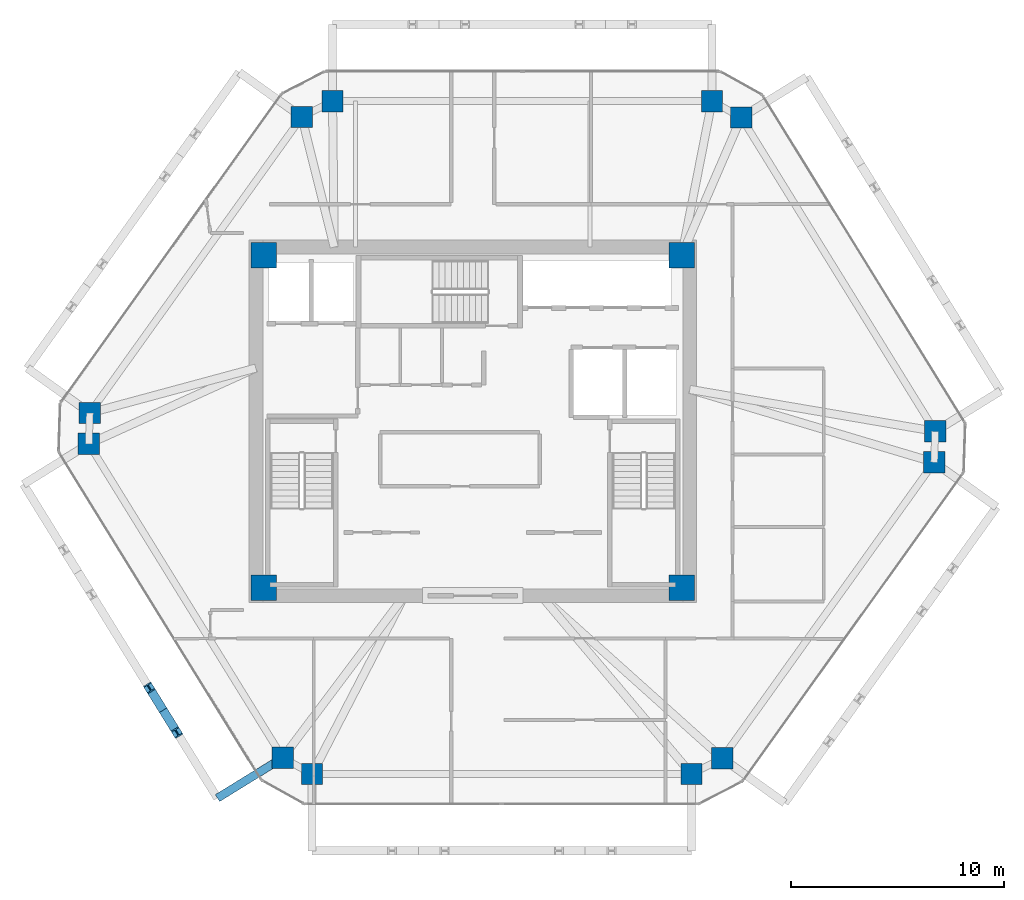
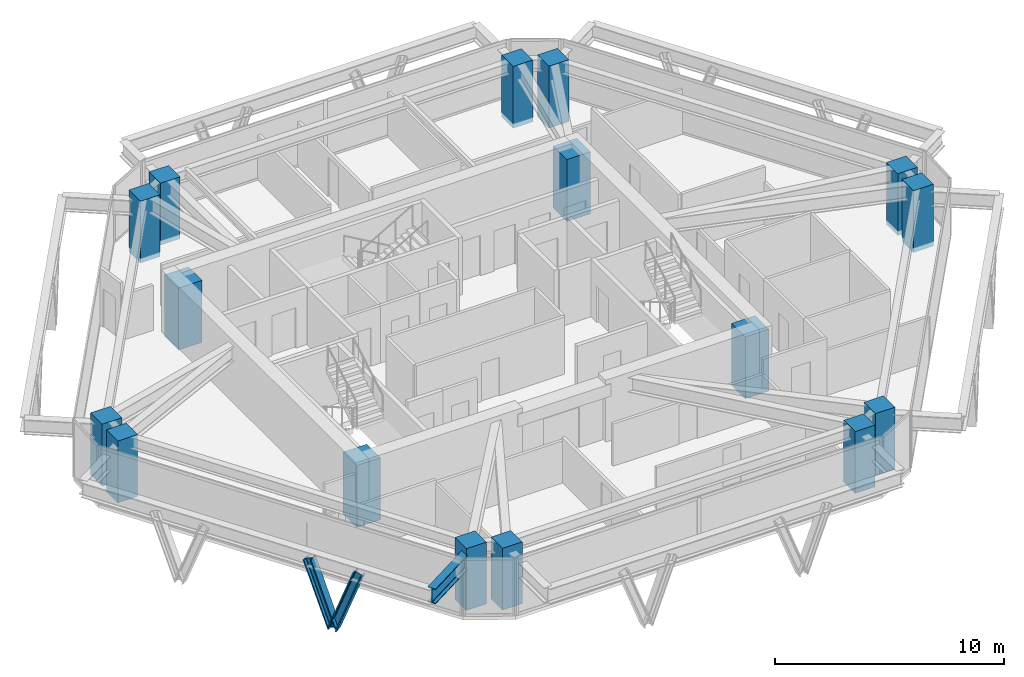
# One storey, part 1 of 11: 16 columns, 2 members, 1 beam.
"""IFC4 building model written with IfcOpenShell, lengths in metres."""

from ifc_helpers import new_model, si_unit, direction, frame, origin, origin_2d, place, context, subcontext, project, spatial, rectangle, i_section, extrude, source, transform, mapped, material, material_profile, profile_set, type_object, type_shapes, element, save


model = new_model("IFC4")

# Units and contexts
model_context = context("Model", 3, precision=1e-05, world=origin(), true_north=direction((0.0, 1.0)))
body_context = subcontext(model_context, "Body", "Model", "MODEL_VIEW")
ifc_project = project(units=[si_unit("LENGTHUNIT", "METRE"), si_unit("AREAUNIT", "SQUARE_METRE"), si_unit("VOLUMEUNIT", "CUBIC_METRE"), si_unit("PLANEANGLEUNIT", "RADIAN"), si_unit("MASSUNIT", "GRAM", prefix="KILO")], contexts=[model_context])

# Site, building, storey
site_placement = place(None, origin())
site = spatial("IfcSite", under=ifc_project, at=site_placement, CompositionType="ELEMENT")
building_placement = place(site_placement, origin())
building = spatial("IfcBuilding", under=site, at=building_placement, Name="Durnholm Broadcast Tower", CompositionType="ELEMENT")
storey_placement = place(building_placement, frame((0.0, 0.0, 190.300048828125)))
storey = spatial("IfcBuildingStorey", under=building, at=storey_placement, Name="L52", CompositionType="ELEMENT", Elevation=190.300048828125)

# Columns
ifc_material_1 = material(Name="Concrete C70/85", Category="concrete")
ifc_material_profile_1 = material_profile(ifc_material_1, rectangle(XDim=1.199951171875, YDim=1.199951171875, at=origin_2d()), Name="RC1200X1200")
ifc_profile_set_1 = profile_set([ifc_material_profile_1], Name="Concrete C70/85")
column_type_1 = type_object("IfcColumnType", Name="COL-CC-1200", PredefinedType="COLUMN", material=ifc_profile_set_1)
shared_shape_1 = source(origin(), body_context, "Body", "SweptSolid", [
    extrude(rectangle(XDim=1.199951171875, YDim=1.199951171875, at=origin_2d()), origin(), (0.0, 0.0, 1.0), 3.300048828125),
])
type_shapes(column_type_1, [shared_shape_1])
for number, where, z_axis, x_axis, name in (
    (1, (-9.800048828125, -7.800048828125, -0.239990234375), (0.0, 0.0, 1.0), (1.0, 0.0, 0.0), "L52 core corner column 1"),
    (2, (9.800048828125, -7.800048828125, -0.239990234375), (0.0, 0.0, 1.0), (1.0, 0.0, 0.0), "L52 core corner column 2"),
    (3, (9.800048828125, 7.800048828125, -0.239990234375), (0.0, 0.0, 1.0), (1.0, 0.0, 0.0), "L52 core corner column 3"),
    (4, (-9.800048828125, 7.800048828125, -0.239990234375), (0.0, 0.0, 1.0), (1.0, 0.0, 0.0), "L52 core corner column 4"),
):
    element("IfcColumn", number, at=place(storey_placement, frame(where, z_axis=z_axis, x_axis=x_axis)), inside=storey, type_object=column_type_1, Name=name, PredefinedType="COLUMN", context=body_context, shape_type="MappedRepresentation", body=[
        mapped(shared_shape_1, transform((0.0, 0.0, 0.0), x_axis=(1.0, 0.0, 0.0), y_axis=(0.0, 1.0, 0.0), z_axis=(0.0, 0.0, 1.0), scale=1.0)),
    ])
ifc_material_profile_2 = material_profile(ifc_material_1, rectangle(XDim=1.0, YDim=1.0, at=origin_2d()), Name="RC1000X1000")
ifc_profile_set_2 = profile_set([ifc_material_profile_2], Name="Concrete C70/85")
column_type_2 = type_object("IfcColumnType", Name="COL-CC-1000", PredefinedType="COLUMN", material=ifc_profile_set_2)
shared_shape_2 = source(origin(), body_context, "Body", "SweptSolid", [
    extrude(rectangle(XDim=1.0, YDim=1.0, at=origin_2d()), origin(), (0.0, 0.0, 1.0), 3.300048828125),
])
type_shapes(column_type_2, [shared_shape_2])
for number, where, z_axis, x_axis, name in (
    (5, (-8.91259765625, -15.7763671875, -0.239990234375), (0.0, 0.0, 1.0), (1.0, 0.0, 0.0), "L52 perimeter hexagonal tube column 01"),
    (6, (-18.009033203125, -1.056640625, -0.239990234375), (0.0, 0.0, 1.0), (1.0, 0.0, 0.0), "L52 perimeter hexagonal tube column 02"),
    (7, (-17.9599609375, 0.3955078125, -0.239990234375), (0.0, 0.0, 1.0), (1.0, 0.0, 0.0), "L52 perimeter hexagonal tube column 03"),
    (8, (-8.021728515625, 14.2763671875, -0.239990234375), (0.0, 0.0, 1.0), (1.0, 0.0, 0.0), "L52 perimeter hexagonal tube column 04"),
    (9, (-6.57861328125, 15.01806640625, -0.239990234375), (0.0, 0.0, 1.0), (1.0, 0.0, 0.0), "L52 perimeter hexagonal tube column 05"),
    (10, (11.217529296875, 15.01806640625, -0.239990234375), (0.0, 0.0, 1.0), (1.0, 0.0, 0.0), "L52 perimeter hexagonal tube column 06"),
    (11, (12.5908203125, 14.252197265625, -0.239990234375), (0.0, 0.0, 1.0), (1.0, 0.0, 0.0), "L52 perimeter hexagonal tube column 07"),
    (12, (21.68701171875, -0.46728515625, -0.239990234375), (0.0, 0.0, 1.0), (1.0, 0.0, 0.0), "L52 perimeter hexagonal tube column 08"),
    (13, (21.637939453125, -1.919677734375, -0.239990234375), (0.0, 0.0, 1.0), (1.0, 0.0, 0.0), "L52 perimeter hexagonal tube column 09"),
    (14, (11.69970703125, -15.80029296875, -0.239990234375), (0.0, 0.0, 1.0), (1.0, 0.0, 0.0), "L52 perimeter hexagonal tube column 10"),
    (15, (10.256591796875, -16.5419921875, -0.239990234375), (0.0, 0.0, 1.0), (1.0, 0.0, 0.0), "L52 perimeter hexagonal tube column 11"),
    (16, (-7.53955078125, -16.5419921875, -0.239990234375), (0.0, 0.0, 1.0), (1.0, 0.0, 0.0), "L52 perimeter hexagonal tube column 12"),
):
    element("IfcColumn", number, at=place(storey_placement, frame(where, z_axis=z_axis, x_axis=x_axis)), inside=storey, type_object=column_type_2, Name=name, PredefinedType="COLUMN", context=body_context, shape_type="MappedRepresentation", body=[
        mapped(shared_shape_2, transform((0.0, 0.0, 0.0), x_axis=(1.0, 0.0, 0.0), y_axis=(0.0, 1.0, 0.0), z_axis=(0.0, 0.0, 1.0), scale=1.0)),
    ])

# Beam
ifc_material_2 = material(Name="Steel ASTM A992 Grade 50", Category="steel")
ifc_material_profile_3 = material_profile(ifc_material_2, i_section(OverallWidth=0.385009765625, OverallDepth=0.802978515625, WebThickness=0.023681640625, FlangeThickness=0.0419921875, FilletRadius=0.032958984375, at=origin_2d()), Name="W30X261")
ifc_profile_set_3 = profile_set([ifc_material_profile_3], Name="Steel ASTM A992 Grade 50")
beam_type = type_object("IfcBeamType", Name="BM-EXO-TIE", PredefinedType="USERDEFINED", material=ifc_profile_set_3)
shared_shape_3 = source(origin(), body_context, "Body", "SweptSolid", [
    extrude(i_section(OverallWidth=0.385009765625, OverallDepth=0.802978515625, WebThickness=0.023681640625, FlangeThickness=0.0419921875, FilletRadius=0.032958984375, at=origin_2d()), origin(), (0.0, 0.0, 1.0), 3.4560546875),
])
type_shapes(beam_type, [shared_shape_3])
beam_placement = place(storey_placement, frame((-9.03515625, -15.85205078125, 2.30859375), z_axis=(-0.850693939061, -0.525661318764, 0.0), x_axis=(0.525661318764, -0.850693939061, 0.0)))
element("IfcBeam", 17, at=beam_placement, inside=storey, type_object=beam_type, Name="L52 exoskeleton stand-off tie bracket F6.2", ObjectType="GIRDER", PredefinedType="USERDEFINED", context=body_context, shape_type="MappedRepresentation", body=[
    mapped(shared_shape_3, transform((0.0, 0.0, 0.0), x_axis=(1.0, 0.0, 0.0), y_axis=(0.0, 1.0, 0.0), z_axis=(0.0, 0.0, 1.0), scale=1.0)),
])

# Members
ifc_material_3 = material(Name="Steel ASTM A913 Grade 65", Category="steel")
ifc_material_profile_4 = material_profile(ifc_material_3, i_section(OverallWidth=0.412109375, OverallDepth=0.434814453125, WebThickness=0.035888671875, FlangeThickness=0.057373046875, FilletRadius=0.030517578125, at=origin_2d()), Name="W14X311")
ifc_profile_set_4 = profile_set([ifc_material_profile_4], Name="Steel ASTM A913 Grade 65")
member_type = type_object("IfcMemberType", Name="STL-DG-W14X311", PredefinedType="BRACE", material=ifc_profile_set_4)
shared_shape_4 = source(origin(), body_context, "Body", "SweptSolid", [
    extrude(i_section(OverallWidth=0.412109375, OverallDepth=0.434814453125, WebThickness=0.035888671875, FlangeThickness=0.057373046875, FilletRadius=0.030517578125, at=origin_2d()), origin(), (0.0, 0.0, 1.0), 3.523193359375),
])
type_shapes(member_type, [shared_shape_4])
for number, where, z_axis, x_axis, name in (
    (18, (-14.522216796875, -13.54736328125, -0.991455078125), (-0.184052089489, 0.297906601172, 0.936683770188), (-0.850732935913, -0.525598203719, 0.0), "L52 stand-off diagrid brace F6.D2.1"),
    (19, (-14.522216796875, -13.54736328125, -0.991455078125), (0.18411903749, -0.297902800967, 0.936671821509), (0.850644447398, 0.525741404219, 0.0), "L52 stand-off diagrid brace F6.D2.2"),
):
    element("IfcMember", number, at=place(storey_placement, frame(where, z_axis=z_axis, x_axis=x_axis)), inside=storey, type_object=member_type, Name=name, PredefinedType="BRACE", context=body_context, shape_type="MappedRepresentation", body=[
        mapped(shared_shape_4, transform((0.0, 0.0, 0.0), x_axis=(1.0, 0.0, 0.0), y_axis=(0.0, 1.0, 0.0), z_axis=(0.0, 0.0, 1.0), scale=1.0)),
    ])

save(model, "model.ifc")
